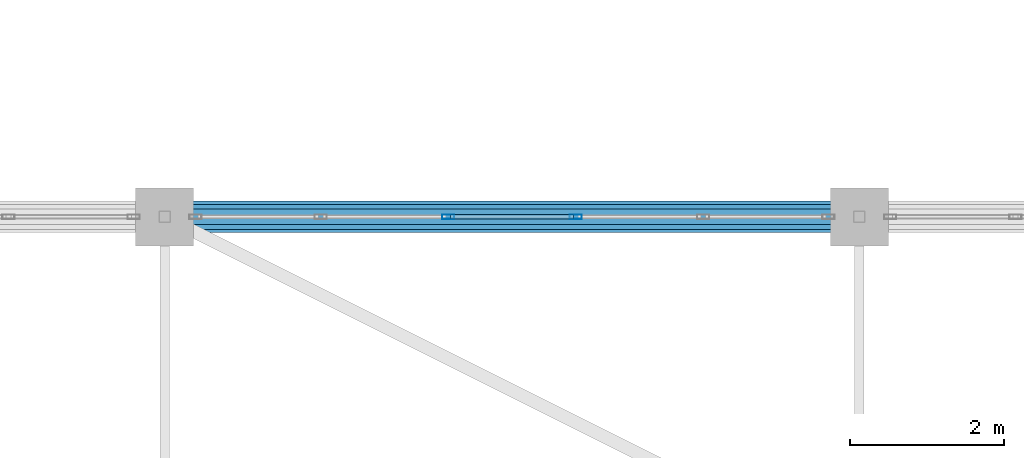
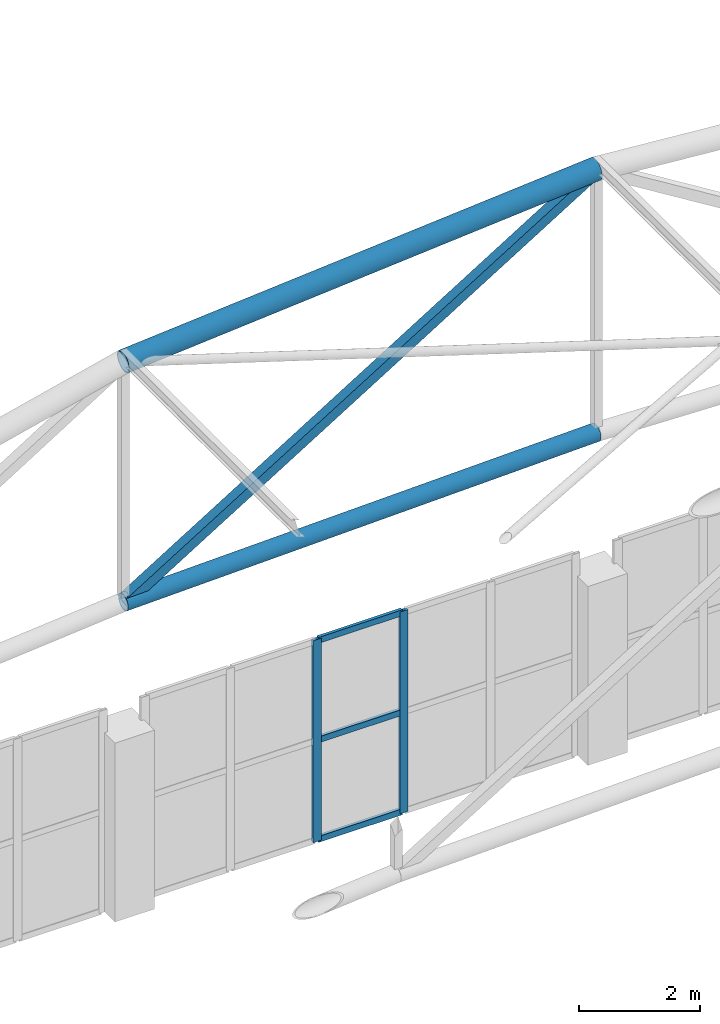
# One storey, part 108 of 167: 8 members, 1 element without a shape of its own.
"""IFC4 building model written with IfcOpenShell, lengths in metres."""

from ifc_helpers import new_model, si_unit, direction, frame, origin, origin_2d, place, context, subcontext, project, spatial, hollow_rectangle, hollow_circle, extrude, material, layer, layer_set, material_profile, profile_set, type_object, element, aggregate, save


model = new_model("IFC4")

# Units and contexts
model_context = context("Model", 3, precision=1e-05, world=origin(), true_north=direction((0.0, 1.0)))
body_context = subcontext(model_context, "Body", "Model", "MODEL_VIEW")
ifc_project = project(units=[si_unit("LENGTHUNIT", "METRE"), si_unit("AREAUNIT", "SQUARE_METRE"), si_unit("VOLUMEUNIT", "CUBIC_METRE"), si_unit("PLANEANGLEUNIT", "RADIAN"), si_unit("MASSUNIT", "GRAM", prefix="KILO")], contexts=[model_context])

# Site, building, storey
site_placement = place(None, origin())
site = spatial("IfcSite", under=ifc_project, at=site_placement, CompositionType="ELEMENT")
building_placement = place(site_placement, origin())
building = spatial("IfcBuilding", under=site, at=building_placement, Name="Dornveld Trade and Exhibition Forum", CompositionType="ELEMENT")
storey_placement = place(building_placement, frame((0.0, 0.0, 16.800048828125)))
storey = spatial("IfcBuildingStorey", under=building, at=storey_placement, Name="L03", CompositionType="ELEMENT", Elevation=16.800048828125)

# Curtain wall, members
ifc_material_1 = material(Name="Dark-bronze anodised aluminium and low-E glass", Category="aluminium")
ifc_layer = layer(ifc_material_1, 0.196044921875)
ifc_layer_set = layer_set([ifc_layer], Name="Dark-bronze anodised aluminium and low-E glass")
curtain_wall_type = type_object("IfcCurtainWallType", Name="CW-SYS-18", PredefinedType="USERDEFINED", material=ifc_layer_set)
curtain_wall_placement = place(storey_placement, origin())
curtain_wall = element("IfcCurtainWall", 1, at=curtain_wall_placement, inside=storey, type_object=curtain_wall_type, Name="L03 unitised curtain wall 36", ObjectType="UNITISED_CURTAIN_WALL", PredefinedType="USERDEFINED")
ifc_material_2 = material(Name="Dark-bronze anodised aluminium", Category="aluminium")
ifc_material_profile_1 = material_profile(ifc_material_2, hollow_rectangle(XDim=0.06005859375, YDim=0.159912109375, WallThickness=0.00390625, at=origin_2d()), Name="RHS 160x60x4")
ifc_profile_set_1 = profile_set([ifc_material_profile_1], Name="Dark-bronze anodised aluminium")
member_type_1 = type_object("IfcMemberType", Name="CW-MUL-160", PredefinedType="MULLION", material=ifc_profile_set_1)
member_1_placement = place(storey_placement, frame((50.32568359375, 135.0, -0.004150390625), z_axis=(0.0, 0.0, 1.0), x_axis=(0.0, -1.0, 0.0)))
member_1 = element("IfcMember", 2, at=member_1_placement, type_object=member_type_1, Name="CW-18 mullion 3", PredefinedType="MULLION", context=body_context, shape_type="SweptSolid", body=[
    extrude(hollow_rectangle(XDim=0.06005859375, YDim=0.159912109375, WallThickness=0.00390625, at=origin_2d()), origin(), (0.0, 0.0, 1.0), 4.064208984375),
])
member_2_placement = place(storey_placement, frame((48.67431640625, 135.0, -0.004150390625), z_axis=(0.0, 0.0, 1.0), x_axis=(0.0, -1.0, 0.0)))
member_2 = element("IfcMember", 3, at=member_2_placement, type_object=member_type_1, Name="CW-18 mullion 4", PredefinedType="MULLION", context=body_context, shape_type="SweptSolid", body=[
    extrude(hollow_rectangle(XDim=0.06005859375, YDim=0.159912109375, WallThickness=0.00390625, at=origin_2d()), origin(), (0.0, 0.0, 1.0), 4.064208984375),
])
ifc_material_3 = material(Name="Dark-bronze anodised aluminium", Category="aluminium")
ifc_material_profile_2 = material_profile(ifc_material_3, hollow_rectangle(XDim=0.06005859375, YDim=0.1201171875, WallThickness=0.00390625, at=origin_2d()), Name="RHS 120x60x4")
ifc_profile_set_2 = profile_set([ifc_material_profile_2], Name="Dark-bronze anodised aluminium")
member_type_2 = type_object("IfcMemberType", Name="CW-TRN-120", PredefinedType="USERDEFINED", material=ifc_profile_set_2)
member_3_placement = place(storey_placement, frame((50.2958984375, 135.0, 0.02587890625), z_axis=(-1.0, 0.0, 0.0), x_axis=(0.0, -1.0, 0.0)))
member_3 = element("IfcMember", 4, at=member_3_placement, type_object=member_type_2, Name="CW-18 transom 3.1", ObjectType="TRANSOM", PredefinedType="USERDEFINED", context=body_context, shape_type="SweptSolid", body=[
    extrude(hollow_rectangle(XDim=0.06005859375, YDim=0.1201171875, WallThickness=0.00390625, at=origin_2d()), origin(), (0.0, 0.0, 1.0), 1.591796875),
])
member_4_placement = place(storey_placement, frame((50.2958984375, 135.0, 2.02783203125), z_axis=(-1.0, 0.0, 0.0), x_axis=(0.0, -1.0, 0.0)))
member_4 = element("IfcMember", 5, at=member_4_placement, type_object=member_type_2, Name="CW-18 transom 3.2", ObjectType="TRANSOM", PredefinedType="USERDEFINED", context=body_context, shape_type="SweptSolid", body=[
    extrude(hollow_rectangle(XDim=0.06005859375, YDim=0.1201171875, WallThickness=0.00390625, at=origin_2d()), origin(), (0.0, 0.0, 1.0), 1.591796875),
])
member_5_placement = place(storey_placement, frame((50.2958984375, 135.0, 4.030029296875), z_axis=(-1.0, 0.0, 0.0), x_axis=(0.0, -1.0, 0.0)))
member_5 = element("IfcMember", 6, at=member_5_placement, type_object=member_type_2, Name="CW-18 transom 3.3", ObjectType="TRANSOM", PredefinedType="USERDEFINED", context=body_context, shape_type="SweptSolid", body=[
    extrude(hollow_rectangle(XDim=0.06005859375, YDim=0.1201171875, WallThickness=0.00390625, at=origin_2d()), origin(), (0.0, 0.0, 1.0), 1.591796875),
])
aggregate(curtain_wall, [member_1, member_2, member_3, member_4, member_5])

# Members
ifc_material_4 = material(Name="Steel S355J2", Category="steel")
ifc_material_profile_3 = material_profile(ifc_material_4, hollow_circle(Radius=0.161865234375, WallThickness=0.01611328125, at=origin_2d()), Name="CHS 323.9x16")
ifc_profile_set_3 = profile_set([ifc_material_profile_3], Name="Steel S355J2")
member_type_3 = type_object("IfcMemberType", Name="MEM-ARCH-BC", PredefinedType="CHORD", material=ifc_profile_set_3)
member_6_placement = place(storey_placement, frame((45.0, 135.0, 6.083251953125), z_axis=(0.999561545365, 0.0, 0.029609407757), x_axis=(0.0, 1.0, 0.0)))
element("IfcMember", 7, at=member_6_placement, inside=storey, type_object=member_type_3, Name="H3 truss 12 tie chord 3", PredefinedType="CHORD", context=body_context, shape_type="SweptSolid", body=[
    extrude(hollow_circle(Radius=0.161865234375, WallThickness=0.01611328125, at=origin_2d()), origin(), (0.0, 0.0, 1.0), 9.00390625),
])
ifc_material_5 = material(Name="Steel S355J2", Category="steel")
ifc_material_profile_4 = material_profile(ifc_material_5, hollow_circle(Radius=0.203125, WallThickness=0.02001953125, at=origin_2d()), Name="CHS 406.4x20")
ifc_profile_set_4 = profile_set([ifc_material_profile_4], Name="Steel S355J2")
member_type_4 = type_object("IfcMemberType", Name="MEM-ARCH-TC", PredefinedType="CHORD", material=ifc_profile_set_4)
member_7_placement = place(storey_placement, frame((45.0, 135.0, 10.916748046875), z_axis=(0.996698427641, 0.0, 0.081192637213), x_axis=(0.0, 1.0, 0.0)))
element("IfcMember", 8, at=member_7_placement, inside=storey, type_object=member_type_4, Name="H3 truss 12 top chord 3", PredefinedType="CHORD", context=body_context, shape_type="SweptSolid", body=[
    extrude(hollow_circle(Radius=0.203125, WallThickness=0.02001953125, at=origin_2d()), origin(), (0.0, 0.0, 1.0), 9.02978515625),
])
ifc_material_6 = material(Name="Steel S355J2", Category="steel")
ifc_material_profile_5 = material_profile(ifc_material_6, hollow_rectangle(XDim=0.199951171875, YDim=0.199951171875, WallThickness=0.010009765625, at=origin_2d()), Name="SHS 200x200x10")
ifc_profile_set_5 = profile_set([ifc_material_profile_5], Name="Steel S355J2")
member_type_5 = type_object("IfcMemberType", Name="MEM-ARCH-WEB", PredefinedType="BRACE", material=ifc_profile_set_5)
member_8_placement = place(storey_placement, frame((45.0, 135.0, 6.083251953125), z_axis=(0.850467158024, 0.0, 0.526028148603), x_axis=(0.0, 1.0, 0.0)))
element("IfcMember", 9, at=member_8_placement, inside=storey, type_object=member_type_5, Name="H3 truss 12 web 3", PredefinedType="BRACE", context=body_context, shape_type="SweptSolid", body=[
    extrude(hollow_rectangle(XDim=0.199951171875, YDim=0.199951171875, WallThickness=0.010009765625, at=origin_2d()), origin(), (0.0, 0.0, 1.0), 10.58251953125),
])

save(model, "model.ifc")
